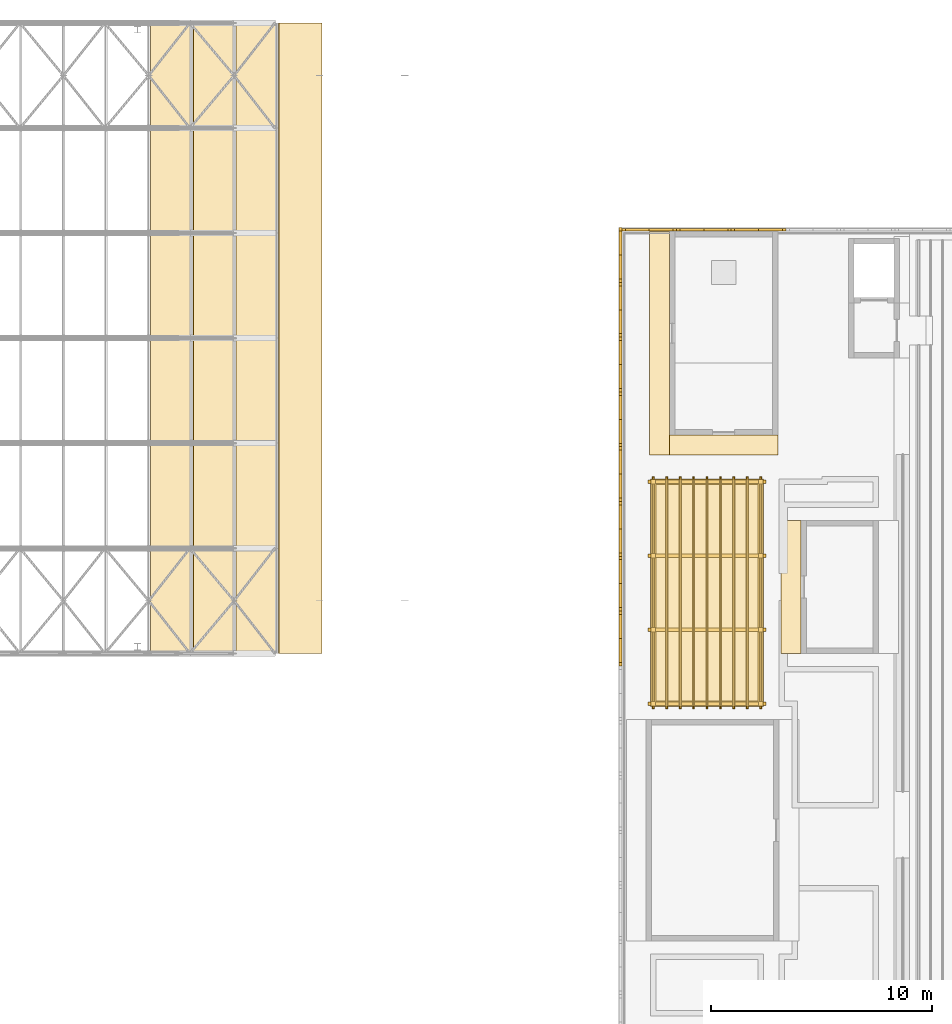
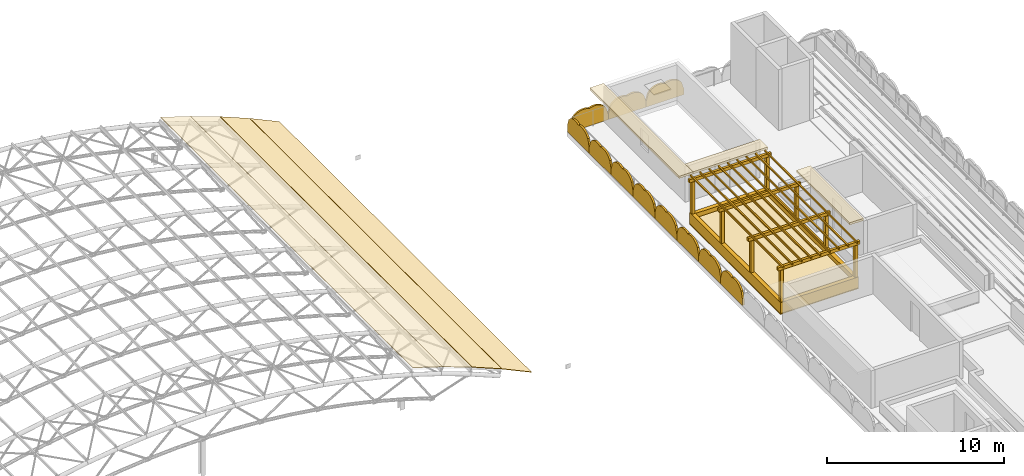
# One storey, part 19 of 22: 31 coverings, 11 shading devices.
"""IFC4 building model written with IfcOpenShell, lengths in metres."""

from ifc_helpers import new_model, si_unit, direction, frame, origin, place, context, subcontext, project, spatial, polyline, outline, extrude, material, layer, layer_set, type_object, element, save


model = new_model("IFC4")

# Units and contexts
model_context = context("Model", 3, precision=1e-05, world=origin(), true_north=direction((0.0, 1.0)))
body_context = subcontext(model_context, "Body", "Model", "MODEL_VIEW")
ifc_project = project(units=[si_unit("LENGTHUNIT", "METRE"), si_unit("AREAUNIT", "SQUARE_METRE"), si_unit("VOLUMEUNIT", "CUBIC_METRE"), si_unit("PLANEANGLEUNIT", "RADIAN"), si_unit("MASSUNIT", "GRAM", prefix="KILO")], contexts=[model_context])

# Site, building, storey
site_placement = place(None, origin())
site = spatial("IfcSite", under=ifc_project, at=site_placement, CompositionType="ELEMENT")
building_placement = place(site_placement, origin())
building = spatial("IfcBuilding", under=site, at=building_placement, Name="Elbe Cascade School", CompositionType="ELEMENT")
storey_placement = place(building_placement, frame((0.0, 0.0, 18.89990234375)))
storey = spatial("IfcBuildingStorey", under=building, at=storey_placement, Name="R05", CompositionType="ELEMENT", Elevation=18.89990234375)

# Shading devices
ifc_material_1 = material(Name="Precast concrete C40/50", Category="concrete")
ifc_layer_1 = layer(ifc_material_1, 0.1201171875)
ifc_layer_set_1 = layer_set([ifc_layer_1], Name="Precast concrete C40/50")
shading_device_type = type_object("IfcShadingDeviceType", Name="Bars envelope Attic jali screen, pointed arch top, pierced precast concrete, 1200 high", PredefinedType="USERDEFINED", material=ifc_layer_set_1)
shading_device_1_placement = place(storey_placement, frame((68.780029296875, 40.431884765625, 0.400146484375), z_axis=(-1.0, 0.0, 0.0), x_axis=(0.0, 0.296914729778, 0.954903996871)))
element("IfcShadingDevice", 1, at=shading_device_1_placement, inside=storey, type_object=shading_device_type, Name="Attic jali screen SD1 A.R05.w15", ObjectType="JALI", PredefinedType="USERDEFINED", context=body_context, shape_type="SweptSolid", body=[
    extrude(outline(polyline([(0.0, 0.0), (0.5213118135497831, 2.7755575615628914e-17), (0.7306945382777837, 0.09699021202207464), (0.8771319311807609, 0.21355243992304318), (0.9848696015542793, 0.3421478331421466), (1.0619064875388193, 0.48054489831620933), (1.1125270975525943, 0.6269000837217165), (1.1363376588260814, 0.7815914981126785), (1.1317062553490027, 0.9451265641229927), (1.2282536445091836, 1.0772014268316772), (1.2963590689187985, 1.218119941159714), (1.337726933535825, 1.3676078153318163), (1.3526785221820867, 1.5250538097353636), (1.3368568374916705, 1.692068345235259), (1.2823354302717953, 1.871116046053289), (1.1649411801745964, 2.069968893608824), (0.7355453523079154, 2.365578822327823), (0.3534438750441624, 2.4843882076074792), (-0.382101477263753, 0.11880938527965638), (0.0, 0.0)])), origin(), (0.0, 0.0, -1.0), 0.1201171875),
])
shading_device_2_placement = place(storey_placement, frame((68.780029296875, 42.9091796875, 0.400146484375), z_axis=(-1.0, 0.0, 0.0), x_axis=(0.0, 0.296914729778, 0.954903996871)))
element("IfcShadingDevice", 2, at=shading_device_2_placement, inside=storey, type_object=shading_device_type, Name="Attic jali screen SD1 A.R05.w16", ObjectType="JALI", PredefinedType="USERDEFINED", context=body_context, shape_type="SweptSolid", body=[
    extrude(outline(polyline([(0.0, 0.0), (0.5213118135497831, 2.7755575615628914e-17), (0.7306945382777837, 0.09699021202207464), (0.8771319311807609, 0.21355243992304318), (0.9848696015542793, 0.3421478331421466), (1.0618339985911196, 0.4803117674575981), (1.1125270975525943, 0.6269000837217165), (1.1363376588260814, 0.7815914981126785), (1.1317062553490027, 0.9451265641229927), (1.2282536445091836, 1.0772014268316772), (1.296431557866498, 1.218353072018325), (1.337726933535825, 1.3676078153318163), (1.3526785221820867, 1.5250538097353636), (1.3368568374916705, 1.692068345235259), (1.2823354302717953, 1.871116046053289), (1.1648686912268968, 2.069735762750213), (0.7355453523079154, 2.365578822327823), (0.3534438750441624, 2.4843882076074792), (-0.382101477263753, 0.11880938527965638), (0.0, 0.0)])), origin(), (0.0, 0.0, -1.0), 0.1201171875),
])
shading_device_3_placement = place(storey_placement, frame((68.780029296875, 45.386474609375, 0.400146484375), z_axis=(-1.0, 0.0, 0.0), x_axis=(0.0, 0.296914729778, 0.954903996871)))
element("IfcShadingDevice", 3, at=shading_device_3_placement, inside=storey, type_object=shading_device_type, Name="Attic jali screen SD1 A.R05.w17", ObjectType="JALI", PredefinedType="USERDEFINED", context=body_context, shape_type="SweptSolid", body=[
    extrude(outline(polyline([(0.0, 0.0), (0.5213118135497831, 2.7755575615628914e-17), (0.7306945382777837, 0.09699021202207464), (0.8771319311807609, 0.21355243992304318), (0.9848696015542793, 0.3421478331421466), (1.0618339985911196, 0.4803117674575981), (1.1124546086048945, 0.6266669528631053), (1.1363376588260814, 0.7815914981126785), (1.1317062553490027, 0.9451265641229927), (1.2282536445091836, 1.0772014268316772), (1.296431557866498, 1.218353072018325), (1.337726933535825, 1.3676078153318163), (1.3526785221820867, 1.5250538097353636), (1.3368568374916705, 1.692068345235259), (1.2823354302717953, 1.871116046053289), (1.1648686912268968, 2.069735762750213), (0.7354728633602158, 2.3653456914692117), (0.3533713860964628, 2.484155076748868), (-0.382101477263753, 0.11880938527965638), (0.0, 0.0)])), origin(), (0.0, 0.0, -1.0), 0.1201171875),
])
shading_device_4_placement = place(storey_placement, frame((68.780029296875, 47.863525390625, 0.400146484375), z_axis=(-1.0, 0.0, 0.0), x_axis=(0.0, 0.297341674145, 0.954771139497)))
element("IfcShadingDevice", 4, at=shading_device_4_placement, inside=storey, type_object=shading_device_type, Name="Attic jali screen SD1 A.R05.w18", ObjectType="JALI", PredefinedType="USERDEFINED", context=body_context, shape_type="SweptSolid", body=[
    extrude(outline(polyline([(0.0, 0.0), (0.5213843546183408, 0.0), (0.7308104264433496, 0.09689657931297072), (0.877299924131576, 0.21339331781027546), (0.9850950836468173, 0.3419405245468374), (1.0621212513618536, 0.4800700313290738), (1.112807297308533, 0.6264025676958647), (1.1367596178235617, 0.7813164184342674), (1.1322013375835094, 0.9448535389739736), (1.2288077728077673, 1.0768852184544173), (1.2969762004591083, 1.2177732661588931), (1.338410902678799, 1.3672426282349808), (1.353432889947968, 1.5246819214728944), (1.3376858854169322, 1.6917035147564823), (1.2832445427129113, 1.8707755762793272), (1.1658666258721082, 2.0694477969865064), (0.7366030194201371, 2.365249695429385), (0.35455470456759325, 2.484229920996509), (-0.3820483148525438, 0.11898022556712376), (0.0, 0.0)])), origin(), (0.0, 0.0, -1.0), 0.1201171875),
])
shading_device_5_placement = place(storey_placement, frame((68.780029296875, 50.3408203125, 0.400146484375), z_axis=(-1.0, 0.0, 0.0), x_axis=(0.0, 0.296914729778, 0.954903996871)))
element("IfcShadingDevice", 5, at=shading_device_5_placement, inside=storey, type_object=shading_device_type, Name="Attic jali screen SD1 A.R05.w19", ObjectType="JALI", PredefinedType="USERDEFINED", context=body_context, shape_type="SweptSolid", body=[
    extrude(outline(polyline([(0.0, 0.0), (0.5213118135497831, 2.7755575615628914e-17), (0.7307670272254834, 0.09722334288068585), (0.8772044201284606, 0.2137855707816544), (0.9849420905019789, 0.3423809640007578), (1.0619064875388193, 0.48054489831620933), (1.1125995865002938, 0.6271332145803277), (1.1364101477737811, 0.7818246289712897), (1.1317787442967022, 0.9453596949816039), (1.2283261334568831, 1.0774345576902884), (1.296431557866498, 1.218353072018325), (1.337726933535825, 1.3676078153318163), (1.3527510111297865, 1.5252869405939748), (1.3369293264393702, 1.6923014760938702), (1.2824079192194948, 1.8713491769119002), (1.1649411801745964, 2.069968893608824), (0.7355453523079154, 2.365578822327823), (0.3534438750441624, 2.4843882076074792), (-0.382101477263753, 0.11880938527965638), (0.0, 0.0)])), origin(), (0.0, 0.0, -1.0), 0.1201171875),
])
shading_device_6_placement = place(storey_placement, frame((68.780029296875, 52.818115234375, 0.400146484375), z_axis=(-1.0, 0.0, 0.0), x_axis=(0.0, 0.296914729778, 0.954903996871)))
element("IfcShadingDevice", 6, at=shading_device_6_placement, inside=storey, type_object=shading_device_type, Name="Attic jali screen SD1 A.R05.w20", ObjectType="JALI", PredefinedType="USERDEFINED", context=body_context, shape_type="SweptSolid", body=[
    extrude(outline(polyline([(0.0, 0.0), (0.5213118135497831, 2.7755575615628914e-17), (0.7306945382777837, 0.09699021202207464), (0.8772044201284606, 0.2137855707816544), (0.9849420905019789, 0.3423809640007578), (1.0619064875388193, 0.48054489831620933), (1.1125995865002938, 0.6271332145803277), (1.1364101477737811, 0.7818246289712897), (1.1317787442967022, 0.9453596949816039), (1.2283261334568831, 1.0774345576902884), (1.296431557866498, 1.218353072018325), (1.337726933535825, 1.3676078153318163), (1.3526785221820867, 1.5250538097353636), (1.3369293264393702, 1.6923014760938702), (1.2824079192194948, 1.8713491769119002), (1.1649411801745964, 2.069968893608824), (0.7355453523079154, 2.365578822327823), (0.3534438750441624, 2.4843882076074792), (-0.382101477263753, 0.11880938527965638), (0.0, 0.0)])), origin(), (0.0, 0.0, -1.0), 0.1201171875),
])
shading_device_7_placement = place(storey_placement, frame((68.780029296875, 55.29541015625, 0.400146484375), z_axis=(-1.0, 0.0, 0.0), x_axis=(0.0, 0.296914729778, 0.954903996871)))
element("IfcShadingDevice", 7, at=shading_device_7_placement, inside=storey, type_object=shading_device_type, Name="Attic jali screen SD1 A.R05.w21", ObjectType="JALI", PredefinedType="USERDEFINED", context=body_context, shape_type="SweptSolid", body=[
    extrude(outline(polyline([(0.0, 0.0), (0.5213118135497831, 2.7755575615628914e-17), (0.7306945382777837, 0.09699021202207464), (0.8772044201284606, 0.2137855707816544), (0.9849420905019789, 0.3423809640007578), (1.0619064875388193, 0.48054489831620933), (1.1125270975525943, 0.6269000837217165), (1.1364101477737811, 0.7818246289712897), (1.1317787442967022, 0.9453596949816039), (1.2283261334568831, 1.0774345576902884), (1.296431557866498, 1.218353072018325), (1.337726933535825, 1.3676078153318163), (1.3526785221820867, 1.5250538097353636), (1.3368568374916705, 1.692068345235259), (1.2824079192194948, 1.8713491769119002), (1.1649411801745964, 2.069968893608824), (0.7355453523079154, 2.365578822327823), (0.3534438750441624, 2.4843882076074792), (-0.382101477263753, 0.11880938527965638), (0.0, 0.0)])), origin(), (0.0, 0.0, -1.0), 0.1201171875),
])
shading_device_8_placement = place(storey_placement, frame((68.780029296875, 57.772705078125, 0.400146484375), z_axis=(-1.0, 0.0, 0.0), x_axis=(0.0, 0.296914729778, 0.954903996871)))
element("IfcShadingDevice", 8, at=shading_device_8_placement, inside=storey, type_object=shading_device_type, Name="Attic jali screen SD1 A.R05.w22", ObjectType="JALI", PredefinedType="USERDEFINED", context=body_context, shape_type="SweptSolid", body=[
    extrude(outline(polyline([(0.0, 0.0), (0.5213118135497831, 2.7755575615628914e-17), (0.7307670272254834, 0.09722334288068585), (0.8772044201284606, 0.2137855707816544), (0.9849420905019789, 0.3423809640007578), (1.0619064875388193, 0.48054489831620933), (1.1125270975525943, 0.6269000837217165), (1.1363376588260814, 0.7815914981126785), (1.1317787442967022, 0.9453596949816039), (1.2283261334568831, 1.0774345576902884), (1.296431557866498, 1.218353072018325), (1.337726933535825, 1.3676078153318163), (1.3526785221820867, 1.5250538097353636), (1.3368568374916705, 1.692068345235259), (1.2823354302717953, 1.871116046053289), (1.1649411801745964, 2.069968893608824), (0.7355453523079154, 2.365578822327823), (0.3534438750441624, 2.4843882076074792), (-0.382101477263753, 0.11880938527965638), (0.0, 0.0)])), origin(), (0.0, 0.0, -1.0), 0.1201171875),
])
shading_device_9_placement = place(storey_placement, frame((68.89990234375, 60.219970703125, 0.400146484375), z_axis=(0.0, 1.0, 0.0), x_axis=(0.296885994804, 0.0, 0.954912931156)))
element("IfcShadingDevice", 9, at=shading_device_9_placement, inside=storey, type_object=shading_device_type, Name="Attic jali screen SD1 A.R05.n1", ObjectType="JALI", PredefinedType="USERDEFINED", context=body_context, shape_type="SweptSolid", body=[
    extrude(outline(polyline([(0.0, 0.0), (0.5205399322619295, 0.0), (0.7296141233069511, 0.09683586158659269), (0.8759030447045664, 0.21293622992885647), (0.9833312303823933, 0.34137421400927725), (1.0606852539217615, 0.47916236735966106), (1.1109958448404997, 0.625358424859779), (1.1351230533656151, 0.7794393257404967), (1.130880512963428, 0.9425961554047334), (1.2268851796894373, 1.0745857541690937), (1.2943751336234934, 1.2151850156373067), (1.3358266690285774, 1.3641353865657857), (1.3502347718130312, 1.521493661643999), (1.3344962305267012, 1.6879689729523422), (1.2798969535205829, 1.8667818999988421), (1.1625848887993835, 2.065092466840847), (0.7337346009289507, 2.3600057622296102), (0.3516295486426392, 2.478803649310767), (-0.38210505228631153, 0.1187978870811568), (0.0, 0.0)])), origin(), (0.0, 0.0, -1.0), 0.1201171875),
])
shading_device_10_placement = place(storey_placement, frame((71.371337890625, 60.219970703125, 0.400146484375), z_axis=(0.0, 1.0, 0.0), x_axis=(0.296885994804, 0.0, 0.954912931156)))
element("IfcShadingDevice", 10, at=shading_device_10_placement, inside=storey, type_object=shading_device_type, Name="Attic jali screen SD1 A.R05.n2", ObjectType="JALI", PredefinedType="USERDEFINED", context=body_context, shape_type="SweptSolid", body=[
    extrude(outline(polyline([(0.0, 0.0), (0.5205399322619295, 0.0), (0.7296141233069511, 0.09683586158659269), (0.8759030447045664, 0.21293622992885647), (0.9833312303823933, 0.34137421400927725), (1.0606852539217615, 0.47916236735966106), (1.1109233629081745, 0.6251252918199459), (1.1351230533656151, 0.7794393257404967), (1.130880512963428, 0.9425961554047334), (1.2268851796894373, 1.0745857541690937), (1.2943751336234934, 1.2151850156373067), (1.3358266690285774, 1.3641353865657857), (1.3502347718130312, 1.521493661643999), (1.3344962305267012, 1.6879689729523422), (1.2798969535205829, 1.8667818999988421), (1.1625848887993835, 2.065092466840847), (0.7338070828612759, 2.3602388952694433), (0.3517020305749644, 2.4790367823506), (-0.38210505228631153, 0.1187978870811568), (0.0, 0.0)])), origin(), (0.0, 0.0, -1.0), 0.1201171875),
])
shading_device_11_placement = place(storey_placement, frame((73.843017578125, 60.219970703125, 0.400146484375), z_axis=(0.0, 1.0, 0.0), x_axis=(0.296458230814, 0.0, 0.95504581952)))
element("IfcShadingDevice", 11, at=shading_device_11_placement, inside=storey, type_object=shading_device_type, Name="Attic jali screen SD1 A.R05.n3", ObjectType="JALI", PredefinedType="USERDEFINED", context=body_context, shape_type="SweptSolid", body=[
    extrude(outline(polyline([(0.0, 0.0), (0.5204675025432551, 2.7755575615628914e-17), (0.7294982969204867, 0.09692950248696966), (0.8757351987972986, 0.21309538638735873), (0.983105842463895, 0.3415814778964902), (1.0603981387872072, 0.47940426661630703), (1.1105708615521344, 0.6253896795926839), (1.1347014276873164, 0.7797145378011541), (1.130385804862183, 0.9428694507360091), (1.22625896235024, 1.0746688741519645), (1.2937583083757387, 1.215531517777586), (1.335143120273735, 1.3645004411520198), (1.349408358613346, 1.5216319887830132), (1.3336676271074304, 1.6883333991079734), (1.278988259893542, 1.867121851558395), (1.1615873776769912, 2.0653798509055172), (0.7326050322989023, 2.3601010217730463), (0.35044680520089566, 2.478727740597182), (-0.3821582270980066, 0.11862671882413563), (0.0, 0.0)])), origin(), (0.0, 0.0, -1.0), 0.1201171875),
])

# Coverings
ifc_material_2 = material(Name="Bituminous waterproofing membrane", Category="membrane")
ifc_layer_2 = layer(ifc_material_2, 0.06005859375)
ifc_layer_set_2 = layer_set([ifc_layer_2], Name="Bituminous waterproofing membrane")
covering_type_1 = type_object("IfcCoveringType", Name="Bars envelope Roof covering, bituminous waterproofing membrane", PredefinedType="ROOFING", material=ifc_layer_set_2)
covering_1_placement = place(storey_placement, origin())
element("IfcCovering", 12, at=covering_1_placement, inside=storey, type_object=covering_type_1, Name="Roof covering CV49 A.R05.2", PredefinedType="ROOFING", context=body_context, shape_type="SweptSolid", body=[
    extrude(outline(polyline([(70.199951171875, 48.875), (75.300048828125, 48.875), (75.300048828125, 38.60009765625), (70.199951171875, 38.60009765625), (70.199951171875, 48.875)])), origin(), (0.0, 0.0, 1.0), 0.06005859375),
])
ifc_material_3 = material(Name="Standing seam roofing - zinc")
ifc_layer_3 = layer(ifc_material_3, 0.030029296875)
ifc_layer_set_3 = layer_set([ifc_layer_3], Name="Standing seam roofing - zinc")
covering_type_2 = type_object("IfcCoveringType", Name="Hall roofing", PredefinedType="ROOFING", material=ifc_layer_set_3)
covering_2_placement = place(storey_placement, frame((47.5810546875, 41.0, 2.80029296875), z_axis=(0.301235084087, 0.0, 0.953549906463), x_axis=(0.953549906463, 0.0, -0.301235084087)))
element("IfcCovering", 13, at=covering_2_placement, inside=storey, type_object=covering_type_2, Name="Roofing 22", PredefinedType="ROOFING", context=body_context, shape_type="SweptSolid", body=[
    extrude(outline(polyline([(0.0, 0.0), (2.0277845311451577, 0.0), (2.0277845311451577, 28.5), (0.0, 28.5), (0.0, 0.0)])), origin(), (0.0, 0.0, -1.0), 0.030029296875),
])
covering_3_placement = place(storey_placement, frame((49.520751953125, 41.0, 2.187255859375), z_axis=(0.341390517687, 0.0, 0.939921546957), x_axis=(0.939921546957, 0.0, -0.341390517687)))
element("IfcCovering", 14, at=covering_3_placement, inside=storey, type_object=covering_type_2, Name="Roofing 23", PredefinedType="ROOFING", context=body_context, shape_type="SweptSolid", body=[
    extrude(outline(polyline([(0.0, 0.0), (2.0574460675852557, 0.0), (2.0574460675852557, 28.5), (0.0, 28.5), (0.0, 0.0)])), origin(), (0.0, 0.0, -1.0), 0.030029296875),
])
covering_4_placement = place(storey_placement, frame((51.46044921875, 41.0, 1.482666015625), z_axis=(0.381588946613, 0.0, 0.924332124197), x_axis=(0.924332124197, 0.0, -0.381588946613)))
element("IfcCovering", 15, at=covering_4_placement, inside=storey, type_object=covering_type_2, Name="Roofing 24", PredefinedType="ROOFING", context=body_context, shape_type="SweptSolid", body=[
    extrude(outline(polyline([(0.0, 0.0), (2.0921461453100556, 0.0), (2.0921461453100556, 28.500000000000007), (0.0, 28.500000000000007), (0.0, 0.0)])), origin(), (0.0, 0.0, -1.0), 0.030029296875),
])
covering_5_placement = place(storey_placement, frame((53.400146484375, 41.0, 0.681884765625), z_axis=(0.421713240425, 0.0, 0.906729255539), x_axis=(0.906729255539, 0.0, -0.421713240425)))
element("IfcCovering", 16, at=covering_5_placement, inside=storey, type_object=covering_type_2, Name="Roofing 25", PredefinedType="ROOFING", context=body_context, shape_type="SweptSolid", body=[
    extrude(outline(polyline([(0.0, 0.0), (2.1327622096801377, 0.0), (2.1327622096801377, 28.499999999999996), (0.0, 28.499999999999996), (0.0, 0.0)])), origin(), (0.0, 0.0, -1.0), 0.030029296875),
])
ifc_material_4 = material(Name="Steel S355J2H, hot-dip galvanised", Category="steel")
covering_type_3 = type_object("IfcCoveringType", Name="Pergola beam 160x220", PredefinedType="USERDEFINED", material=ifc_material_4)
covering_6_placement = place(storey_placement, frame((0.0, 0.0, 3.010009765625)))
element("IfcCovering", 17, at=covering_6_placement, inside=storey, type_object=covering_type_3, Name="Pergola A.w2 beam 1", ObjectType="PERGOLA BEAM", PredefinedType="USERDEFINED", context=body_context, shape_type="SweptSolid", body=[
    extrude(outline(polyline([(70.074951171875, 38.64501953125), (75.425048828125, 38.64501953125), (75.425048828125, 38.804931640625), (70.074951171875, 38.804931640625), (70.074951171875, 38.64501953125)])), origin(), (0.0, 0.0, 1.0), 0.219970703125),
])
covering_7_placement = place(storey_placement, frame((0.0, 0.0, 3.010009765625)))
element("IfcCovering", 18, at=covering_7_placement, inside=storey, type_object=covering_type_3, Name="Pergola A.w2 beam 2", ObjectType="PERGOLA BEAM", PredefinedType="USERDEFINED", context=body_context, shape_type="SweptSolid", body=[
    extrude(outline(polyline([(70.074951171875, 41.98681640625), (75.425048828125, 41.98681640625), (75.425048828125, 42.146728515625), (70.074951171875, 42.146728515625), (70.074951171875, 41.98681640625)])), origin(), (0.0, 0.0, 1.0), 0.219970703125),
])
covering_8_placement = place(storey_placement, frame((0.0, 0.0, 3.010009765625)))
element("IfcCovering", 19, at=covering_8_placement, inside=storey, type_object=covering_type_3, Name="Pergola A.w2 beam 3", ObjectType="PERGOLA BEAM", PredefinedType="USERDEFINED", context=body_context, shape_type="SweptSolid", body=[
    extrude(outline(polyline([(70.074951171875, 45.328369140625), (75.425048828125, 45.328369140625), (75.425048828125, 45.48828125), (70.074951171875, 45.48828125), (70.074951171875, 45.328369140625)])), origin(), (0.0, 0.0, 1.0), 0.219970703125),
])
covering_9_placement = place(storey_placement, frame((0.0, 0.0, 3.010009765625)))
element("IfcCovering", 20, at=covering_9_placement, inside=storey, type_object=covering_type_3, Name="Pergola A.w2 beam 4", ObjectType="PERGOLA BEAM", PredefinedType="USERDEFINED", context=body_context, shape_type="SweptSolid", body=[
    extrude(outline(polyline([(70.074951171875, 48.669921875), (75.425048828125, 48.669921875), (75.425048828125, 48.830078125), (70.074951171875, 48.830078125), (70.074951171875, 48.669921875)])), origin(), (0.0, 0.0, 1.0), 0.219970703125),
])
ifc_material_5 = material(Name="Steel S355J2H, hot-dip galvanised", Category="steel")
covering_type_4 = type_object("IfcCoveringType", Name="Pergola post 200x2200", PredefinedType="USERDEFINED", material=ifc_material_5)
covering_10_placement = place(storey_placement, frame((0.0, 0.0, 0.81005859375)))
element("IfcCovering", 21, at=covering_10_placement, inside=storey, type_object=covering_type_4, Name="Pergola A.w2 post 1w", ObjectType="PERGOLA POST", PredefinedType="USERDEFINED", context=body_context, shape_type="SweptSolid", body=[
    extrude(outline(polyline([(70.22509765625, 38.625), (70.425048828125, 38.625), (70.425048828125, 38.824951171875), (70.22509765625, 38.824951171875), (70.22509765625, 38.625)])), origin(), (0.0, 0.0, 1.0), 2.199951171875),
])
covering_11_placement = place(storey_placement, frame((0.0, 0.0, 0.81005859375)))
element("IfcCovering", 22, at=covering_11_placement, inside=storey, type_object=covering_type_4, Name="Pergola A.w2 post 1e", ObjectType="PERGOLA POST", PredefinedType="USERDEFINED", context=body_context, shape_type="SweptSolid", body=[
    extrude(outline(polyline([(75.074951171875, 38.625), (75.27490234375, 38.625), (75.27490234375, 38.824951171875), (75.074951171875, 38.824951171875), (75.074951171875, 38.625)])), origin(), (0.0, 0.0, 1.0), 2.199951171875),
])
covering_12_placement = place(storey_placement, frame((0.0, 0.0, 0.81005859375)))
element("IfcCovering", 23, at=covering_12_placement, inside=storey, type_object=covering_type_4, Name="Pergola A.w2 post 2w", ObjectType="PERGOLA POST", PredefinedType="USERDEFINED", context=body_context, shape_type="SweptSolid", body=[
    extrude(outline(polyline([(70.22509765625, 41.966796875), (70.425048828125, 41.966796875), (70.425048828125, 42.166748046875), (70.22509765625, 42.166748046875), (70.22509765625, 41.966796875)])), origin(), (0.0, 0.0, 1.0), 2.199951171875),
])
covering_13_placement = place(storey_placement, frame((0.0, 0.0, 0.81005859375)))
element("IfcCovering", 24, at=covering_13_placement, inside=storey, type_object=covering_type_4, Name="Pergola A.w2 post 2e", ObjectType="PERGOLA POST", PredefinedType="USERDEFINED", context=body_context, shape_type="SweptSolid", body=[
    extrude(outline(polyline([(75.074951171875, 41.966796875), (75.27490234375, 41.966796875), (75.27490234375, 42.166748046875), (75.074951171875, 42.166748046875), (75.074951171875, 41.966796875)])), origin(), (0.0, 0.0, 1.0), 2.199951171875),
])
covering_14_placement = place(storey_placement, frame((0.0, 0.0, 0.81005859375)))
element("IfcCovering", 25, at=covering_14_placement, inside=storey, type_object=covering_type_4, Name="Pergola A.w2 post 3w", ObjectType="PERGOLA POST", PredefinedType="USERDEFINED", context=body_context, shape_type="SweptSolid", body=[
    extrude(outline(polyline([(70.22509765625, 45.308349609375), (70.425048828125, 45.308349609375), (70.425048828125, 45.50830078125), (70.22509765625, 45.50830078125), (70.22509765625, 45.308349609375)])), origin(), (0.0, 0.0, 1.0), 2.199951171875),
])
covering_15_placement = place(storey_placement, frame((0.0, 0.0, 0.81005859375)))
element("IfcCovering", 26, at=covering_15_placement, inside=storey, type_object=covering_type_4, Name="Pergola A.w2 post 3e", ObjectType="PERGOLA POST", PredefinedType="USERDEFINED", context=body_context, shape_type="SweptSolid", body=[
    extrude(outline(polyline([(75.074951171875, 45.308349609375), (75.27490234375, 45.308349609375), (75.27490234375, 45.50830078125), (75.074951171875, 45.50830078125), (75.074951171875, 45.308349609375)])), origin(), (0.0, 0.0, 1.0), 2.199951171875),
])
covering_16_placement = place(storey_placement, frame((0.0, 0.0, 0.81005859375)))
element("IfcCovering", 27, at=covering_16_placement, inside=storey, type_object=covering_type_4, Name="Pergola A.w2 post 4w", ObjectType="PERGOLA POST", PredefinedType="USERDEFINED", context=body_context, shape_type="SweptSolid", body=[
    extrude(outline(polyline([(70.22509765625, 48.64990234375), (70.425048828125, 48.64990234375), (70.425048828125, 48.85009765625), (70.22509765625, 48.85009765625), (70.22509765625, 48.64990234375)])), origin(), (0.0, 0.0, 1.0), 2.199951171875),
])
covering_17_placement = place(storey_placement, frame((0.0, 0.0, 0.81005859375)))
element("IfcCovering", 28, at=covering_17_placement, inside=storey, type_object=covering_type_4, Name="Pergola A.w2 post 4e", ObjectType="PERGOLA POST", PredefinedType="USERDEFINED", context=body_context, shape_type="SweptSolid", body=[
    extrude(outline(polyline([(75.074951171875, 48.64990234375), (75.27490234375, 48.64990234375), (75.27490234375, 48.85009765625), (75.074951171875, 48.85009765625), (75.074951171875, 48.64990234375)])), origin(), (0.0, 0.0, 1.0), 2.199951171875),
])
ifc_material_6 = material(Name="Steel S355J2H, hot-dip galvanised", Category="steel")
covering_type_5 = type_object("IfcCoveringType", Name="Pergola slat 80x100", PredefinedType="USERDEFINED", material=ifc_material_6)
covering_18_placement = place(storey_placement, frame((0.0, 0.0, 3.22998046875)))
element("IfcCovering", 29, at=covering_18_placement, inside=storey, type_object=covering_type_5, Name="Pergola A.w2 slat 1", ObjectType="PERGOLA SLAT", PredefinedType="USERDEFINED", context=body_context, shape_type="SweptSolid", body=[
    extrude(outline(polyline([(70.284912109375, 38.4951171875), (70.364990234375, 38.4951171875), (70.364990234375, 48.97998046875), (70.284912109375, 48.97998046875), (70.284912109375, 38.4951171875)])), origin(), (0.0, 0.0, 1.0), 0.10009765625),
])
covering_19_placement = place(storey_placement, frame((0.0, 0.0, 3.22998046875)))
element("IfcCovering", 30, at=covering_19_placement, inside=storey, type_object=covering_type_5, Name="Pergola A.w2 slat 2", ObjectType="PERGOLA SLAT", PredefinedType="USERDEFINED", context=body_context, shape_type="SweptSolid", body=[
    extrude(outline(polyline([(70.89111328125, 38.4951171875), (70.97119140625, 38.4951171875), (70.97119140625, 48.97998046875), (70.89111328125, 48.97998046875), (70.89111328125, 38.4951171875)])), origin(), (0.0, 0.0, 1.0), 0.10009765625),
])
covering_20_placement = place(storey_placement, frame((0.0, 0.0, 3.22998046875)))
element("IfcCovering", 31, at=covering_20_placement, inside=storey, type_object=covering_type_5, Name="Pergola A.w2 slat 3", ObjectType="PERGOLA SLAT", PredefinedType="USERDEFINED", context=body_context, shape_type="SweptSolid", body=[
    extrude(outline(polyline([(71.49755859375, 38.4951171875), (71.577392578125, 38.4951171875), (71.577392578125, 48.97998046875), (71.49755859375, 48.97998046875), (71.49755859375, 38.4951171875)])), origin(), (0.0, 0.0, 1.0), 0.10009765625),
])
covering_21_placement = place(storey_placement, frame((0.0, 0.0, 3.22998046875)))
element("IfcCovering", 32, at=covering_21_placement, inside=storey, type_object=covering_type_5, Name="Pergola A.w2 slat 4", ObjectType="PERGOLA SLAT", PredefinedType="USERDEFINED", context=body_context, shape_type="SweptSolid", body=[
    extrude(outline(polyline([(72.103759765625, 38.4951171875), (72.183837890625, 38.4951171875), (72.183837890625, 48.97998046875), (72.103759765625, 48.97998046875), (72.103759765625, 38.4951171875)])), origin(), (0.0, 0.0, 1.0), 0.10009765625),
])
covering_22_placement = place(storey_placement, frame((0.0, 0.0, 3.22998046875)))
element("IfcCovering", 33, at=covering_22_placement, inside=storey, type_object=covering_type_5, Name="Pergola A.w2 slat 5", ObjectType="PERGOLA SLAT", PredefinedType="USERDEFINED", context=body_context, shape_type="SweptSolid", body=[
    extrude(outline(polyline([(72.7099609375, 38.4951171875), (72.7900390625, 38.4951171875), (72.7900390625, 48.97998046875), (72.7099609375, 48.97998046875), (72.7099609375, 38.4951171875)])), origin(), (0.0, 0.0, 1.0), 0.10009765625),
])
covering_23_placement = place(storey_placement, frame((0.0, 0.0, 3.22998046875)))
element("IfcCovering", 34, at=covering_23_placement, inside=storey, type_object=covering_type_5, Name="Pergola A.w2 slat 6", ObjectType="PERGOLA SLAT", PredefinedType="USERDEFINED", context=body_context, shape_type="SweptSolid", body=[
    extrude(outline(polyline([(73.316162109375, 38.4951171875), (73.396240234375, 38.4951171875), (73.396240234375, 48.97998046875), (73.316162109375, 48.97998046875), (73.316162109375, 38.4951171875)])), origin(), (0.0, 0.0, 1.0), 0.10009765625),
])
covering_24_placement = place(storey_placement, frame((0.0, 0.0, 3.22998046875)))
element("IfcCovering", 35, at=covering_24_placement, inside=storey, type_object=covering_type_5, Name="Pergola A.w2 slat 7", ObjectType="PERGOLA SLAT", PredefinedType="USERDEFINED", context=body_context, shape_type="SweptSolid", body=[
    extrude(outline(polyline([(73.922607421875, 38.4951171875), (74.00244140625, 38.4951171875), (74.00244140625, 48.97998046875), (73.922607421875, 48.97998046875), (73.922607421875, 38.4951171875)])), origin(), (0.0, 0.0, 1.0), 0.10009765625),
])
covering_25_placement = place(storey_placement, frame((0.0, 0.0, 3.22998046875)))
element("IfcCovering", 36, at=covering_25_placement, inside=storey, type_object=covering_type_5, Name="Pergola A.w2 slat 8", ObjectType="PERGOLA SLAT", PredefinedType="USERDEFINED", context=body_context, shape_type="SweptSolid", body=[
    extrude(outline(polyline([(74.52880859375, 38.4951171875), (74.60888671875, 38.4951171875), (74.60888671875, 48.97998046875), (74.52880859375, 48.97998046875), (74.52880859375, 38.4951171875)])), origin(), (0.0, 0.0, 1.0), 0.10009765625),
])
covering_26_placement = place(storey_placement, frame((0.0, 0.0, 3.22998046875)))
element("IfcCovering", 37, at=covering_26_placement, inside=storey, type_object=covering_type_5, Name="Pergola A.w2 slat 9", ObjectType="PERGOLA SLAT", PredefinedType="USERDEFINED", context=body_context, shape_type="SweptSolid", body=[
    extrude(outline(polyline([(75.135009765625, 38.4951171875), (75.215087890625, 38.4951171875), (75.215087890625, 48.97998046875), (75.135009765625, 48.97998046875), (75.135009765625, 38.4951171875)])), origin(), (0.0, 0.0, 1.0), 0.10009765625),
])
ifc_material_7 = material(Name="Concrete C30/37 precast kerb", Category="concrete")
ifc_layer_4 = layer(ifc_material_7, 0.25)
ifc_layer_set_4 = layer_set([ifc_layer_4], Name="Concrete C30/37 precast kerb")
covering_type_6 = type_object("IfcCoveringType", Name="Planting bed kerb 250x750", PredefinedType="CLADDING", material=ifc_layer_set_4)
covering_27_placement = place(storey_placement, frame((0.0, 0.0, 0.06005859375)))
element("IfcCovering", 38, at=covering_27_placement, inside=storey, type_object=covering_type_6, Name="Planting bed kerb A W2", PredefinedType="CLADDING", context=body_context, shape_type="SweptSolid", body=[
    extrude(outline(polyline([(75.300048828125, 38.60009765625), (75.14990234375, 38.60009765625), (70.85009765625, 38.60009765625), (70.199951171875, 38.60009765625), (70.199951171875, 48.875), (73.300048828125, 48.875), (73.699951171875, 48.875), (75.300048828125, 48.875), (75.300048828125, 38.60009765625)]), holes=[polyline([(75.050048828125, 38.85009765625), (70.449951171875, 38.85009765625), (70.449951171875, 48.625), (75.050048828125, 48.625), (75.050048828125, 38.85009765625)])]), origin(), (0.0, 0.0, 1.0), 0.75),
])
ifc_material_8 = material(Name="Precast concrete C30/37", Category="concrete")
ifc_layer_5 = layer(ifc_material_8, 0.14990234375)
ifc_layer_set_5 = layer_set([ifc_layer_5], Name="Precast concrete C30/37")
covering_type_7 = type_object("IfcCoveringType", Name="Roof head eave, precast concrete, 900 x 150", PredefinedType="USERDEFINED", material=ifc_layer_set_5)
covering_28_placement = place(storey_placement, frame((0.0, 0.0, 2.650146484375)))
element("IfcCovering", 39, at=covering_28_placement, inside=storey, type_object=covering_type_7, Name="Roof room eave A.R05.P3.w", ObjectType="EAVE", PredefinedType="USERDEFINED", context=body_context, shape_type="SweptSolid", body=[
    extrude(outline(polyline([(76.10009765625, 41.0), (77.0, 41.0), (77.0, 47.0), (76.10009765625, 47.0), (76.10009765625, 41.0)])), origin(), (0.0, 0.0, 1.0), 0.14990234375),
])
covering_29_placement = place(storey_placement, frame((0.0, 0.0, 2.5)))
element("IfcCovering", 40, at=covering_29_placement, inside=storey, type_object=covering_type_7, Name="Stair head eave A.R05.north.w", ObjectType="EAVE", PredefinedType="USERDEFINED", context=body_context, shape_type="SweptSolid", body=[
    extrude(outline(polyline([(70.14990234375, 49.97509765625), (71.050048828125, 49.97509765625), (71.050048828125, 60.070068359375), (70.14990234375, 60.070068359375), (70.14990234375, 49.97509765625)])), origin(), (0.0, 0.0, 1.0), 0.150146484375),
])
covering_30_placement = place(storey_placement, frame((0.0, 0.0, 2.5)))
element("IfcCovering", 41, at=covering_30_placement, inside=storey, type_object=covering_type_7, Name="Stair head eave A.R05.north.i", ObjectType="EAVE", PredefinedType="USERDEFINED", context=body_context, shape_type="SweptSolid", body=[
    extrude(outline(polyline([(71.050048828125, 49.97509765625), (75.949951171875, 49.97509765625), (75.949951171875, 50.875), (71.050048828125, 50.875), (71.050048828125, 49.97509765625)])), origin(), (0.0, 0.0, 1.0), 0.150146484375),
])
ifc_material_9 = material(Name="Planting - soil and shrubs", Category="soil")
ifc_layer_6 = layer(ifc_material_9, 0.449951171875)
ifc_layer_set_6 = layer_set([ifc_layer_6], Name="Planting - soil and shrubs")
covering_type_8 = type_object("IfcCoveringType", Name="Roof planting bed 450", PredefinedType="USERDEFINED", material=ifc_layer_set_6)
covering_31_placement = place(storey_placement, frame((0.0, 0.0, 0.06005859375)))
element("IfcCovering", 42, at=covering_31_placement, inside=storey, type_object=covering_type_8, Name="Planting bed A W2", ObjectType="PLANTING BED", PredefinedType="USERDEFINED", context=body_context, shape_type="SweptSolid", body=[
    extrude(outline(polyline([(75.050048828125, 38.85009765625), (70.449951171875, 38.85009765625), (70.449951171875, 48.625), (75.050048828125, 48.625), (75.050048828125, 38.85009765625)])), origin(), (0.0, 0.0, 1.0), 0.449951171875),
])

save(model, "model.ifc")
